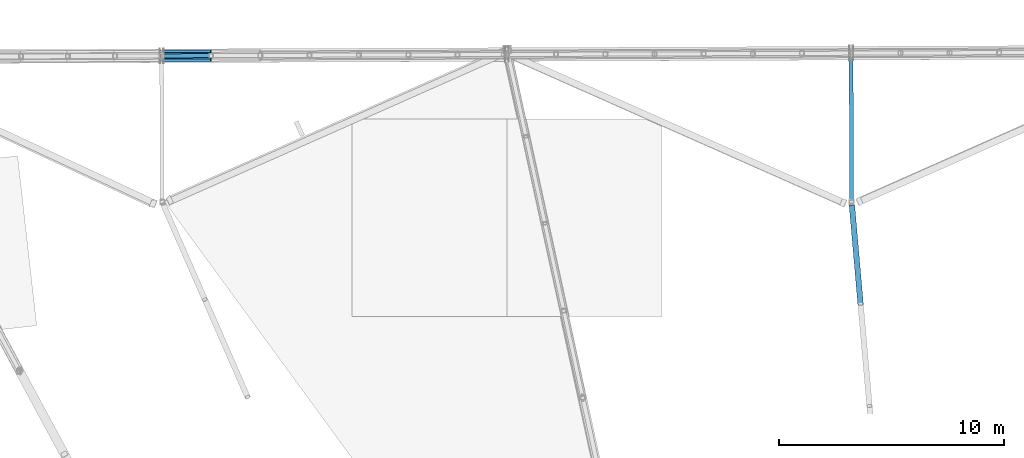
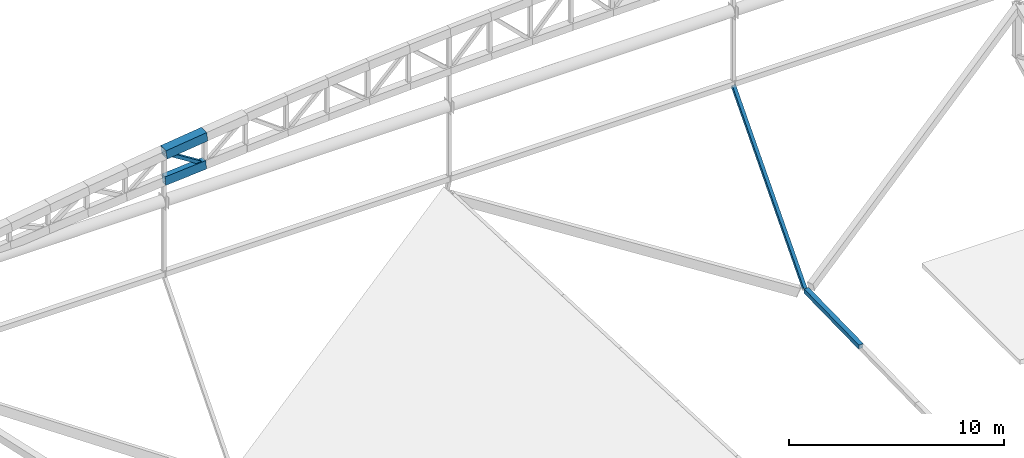
# One storey, part 83 of 188: 5 members.
"""IFC4 building model written with IfcOpenShell, lengths in metres."""

from ifc_helpers import new_model, si_unit, direction, frame, origin, origin_2d, place, context, subcontext, project, spatial, hollow_rectangle, extrude, material, material_profile, profile_set, type_object, element, save


model = new_model("IFC4")

# Units and contexts
model_context = context("Model", 3, precision=1e-05, world=origin(), true_north=direction((0.0, 1.0)))
body_context = subcontext(model_context, "Body", "Model", "MODEL_VIEW")
ifc_project = project(units=[si_unit("LENGTHUNIT", "METRE"), si_unit("AREAUNIT", "SQUARE_METRE"), si_unit("VOLUMEUNIT", "CUBIC_METRE"), si_unit("PLANEANGLEUNIT", "RADIAN"), si_unit("MASSUNIT", "GRAM", prefix="KILO")], contexts=[model_context])

# Site, building, storey
site_placement = place(None, origin())
site = spatial("IfcSite", under=ifc_project, at=site_placement, CompositionType="ELEMENT")
building_placement = place(site_placement, origin())
building = spatial("IfcBuilding", under=site, at=building_placement, Name="Meseta Stadium", CompositionType="ELEMENT")
storey_placement = place(building_placement, frame((0.0, 0.0, 30.0)))
storey = spatial("IfcBuildingStorey", under=building, at=storey_placement, Name="ROOF", CompositionType="ELEMENT", Elevation=30.0)

# Members
ifc_material_1 = material(Name="Steel S355", Category="steel")
ifc_material_profile_1 = material_profile(ifc_material_1, hollow_rectangle(XDim=0.300048828125, YDim=0.5, WallThickness=0.01611328125, at=origin_2d()), Name="RHS 500x300x16")
ifc_profile_set_1 = profile_set([ifc_material_profile_1], Name="Steel S355")
member_type_1 = type_object("IfcMemberType", Name="RHS 500x300x16 arch bottom chord", PredefinedType="CHORD", material=ifc_profile_set_1)
member_1_placement = place(storey_placement, frame((-36.1640625, 105.11328125, 16.901123046875), z_axis=(-0.997291451139, -0.003772575583, -0.07345426576), x_axis=(0.003782794475, -0.999992845207, 0.0)))
element("IfcMember", 1, at=member_1_placement, inside=storey, type_object=member_type_1, Name="GABLE ARCH GA-N bottom chord", PredefinedType="CHORD", context=body_context, shape_type="SweptSolid", body=[
    extrude(hollow_rectangle(XDim=0.300048828125, YDim=0.5, WallThickness=0.01611328125, at=origin_2d()), origin(), (0.0, 0.0, 1.0), 2.2001953125),
])
ifc_material_2 = material(Name="Steel S355", Category="steel")
ifc_material_profile_2 = material_profile(ifc_material_2, hollow_rectangle(XDim=0.179931640625, YDim=0.179931640625, WallThickness=0.00634765625, at=origin_2d()), Name="SHS 180x180x6.3")
ifc_profile_set_2 = profile_set([ifc_material_profile_2], Name="Steel S355")
member_type_2 = type_object("IfcMemberType", Name="SHS 180x180x6.3 arch diagonal", PredefinedType="BRACE", material=ifc_profile_set_2)
member_2_placement = place(storey_placement, frame((-36.1640625, 105.11328125, 16.901123046875), z_axis=(-0.845299041791, -0.003197615423, 0.534283918159), x_axis=(0.003782794475, -0.999992845207, 0.0)))
element("IfcMember", 2, at=member_2_placement, inside=storey, type_object=member_type_2, Name="GABLE ARCH GA-N diagonal", PredefinedType="BRACE", context=body_context, shape_type="SweptSolid", body=[
    extrude(hollow_rectangle(XDim=0.179931640625, YDim=0.179931640625, WallThickness=0.00634765625, at=origin_2d()), origin(), (0.0, 0.0, 1.0), 2.595947265625),
])
ifc_material_3 = material(Name="Steel S355", Category="steel")
ifc_material_profile_3 = material_profile(ifc_material_3, hollow_rectangle(XDim=0.179931640625, YDim=0.179931640625, WallThickness=0.00634765625, at=origin_2d()), Name="SHS 180x180x6.3")
ifc_profile_set_3 = profile_set([ifc_material_profile_3], Name="Steel S355")
member_type_3 = type_object("IfcMemberType", Name="SHS 180x180x6.3 hanger", PredefinedType="STRUT", material=ifc_profile_set_3)
member_3_placement = place(storey_placement, frame((-7.692138671875, 105.222900390625, 11.300048828125), z_axis=(0.002526391917, -0.658975322399, -0.752160316564), x_axis=(0.999992650998, 0.00383379053, 0.0)))
element("IfcMember", 3, at=member_3_placement, inside=storey, type_object=member_type_3, Name="GABLE ARCH GA-N hanger RT-19", PredefinedType="STRUT", context=body_context, shape_type="SweptSolid", body=[
    extrude(hollow_rectangle(XDim=0.179931640625, YDim=0.179931640625, WallThickness=0.00634765625, at=origin_2d()), origin(), (0.0, 0.0, 1.0), 10.050048828125),
])
ifc_material_4 = material(Name="Steel S355", Category="steel")
ifc_material_profile_4 = material_profile(ifc_material_4, hollow_rectangle(XDim=0.25, YDim=0.25, WallThickness=0.010009765625, at=origin_2d()), Name="SHS 250x250x10")
ifc_profile_set_4 = profile_set([ifc_material_profile_4], Name="Steel S355")
member_type_4 = type_object("IfcMemberType", Name="SHS 250x250x10 top chord", PredefinedType="CHORD", material=ifc_profile_set_4)
member_4_placement = place(storey_placement, frame((-7.268798828125, 94.058837890625, 3.07666015625), z_axis=(-0.086383151398, 0.985777810676, 0.144152901925), x_axis=(-0.996182512779, -0.087294909552, 0.0)))
element("IfcMember", 4, at=member_4_placement, inside=storey, type_object=member_type_4, Name="ROOF TRUSS RT-19 top chord", PredefinedType="CHORD", context=body_context, shape_type="SweptSolid", body=[
    extrude(hollow_rectangle(XDim=0.25, YDim=0.25, WallThickness=0.010009765625, at=origin_2d()), origin(), (0.0, 0.0, 1.0), 4.49658203125),
])
ifc_material_5 = material(Name="Steel S355", Category="steel")
ifc_material_profile_5 = material_profile(ifc_material_5, hollow_rectangle(XDim=0.5, YDim=0.5, WallThickness=0.01611328125, at=origin_2d()), Name="SHS 500x500x16")
ifc_profile_set_5 = profile_set([ifc_material_profile_5], Name="Steel S355")
member_type_5 = type_object("IfcMemberType", Name="SHS 500x500x16 arch top chord", PredefinedType="CHORD", material=ifc_profile_set_5)
member_5_placement = place(storey_placement, frame((-36.1640625, 105.11328125, 18.5537109375), z_axis=(-0.992745960903, -0.003755380804, -0.120172185743), x_axis=(0.003782794475, -0.999992845207, 0.0)))
element("IfcMember", 5, at=member_5_placement, inside=storey, type_object=member_type_5, Name="GABLE ARCH GA-N top chord", PredefinedType="CHORD", context=body_context, shape_type="SweptSolid", body=[
    extrude(hollow_rectangle(XDim=0.5, YDim=0.5, WallThickness=0.01611328125, at=origin_2d()), origin(), (0.0, 0.0, 1.0), 2.21044921875),
])

save(model, "model.ifc")
